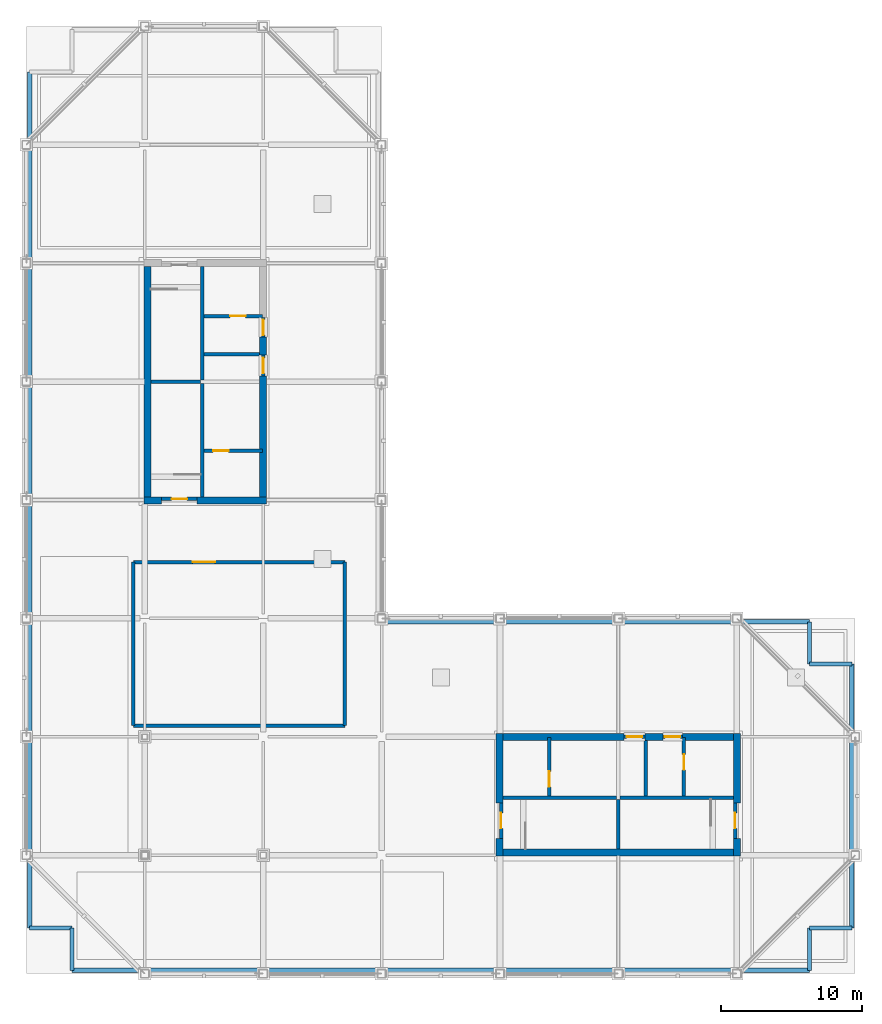
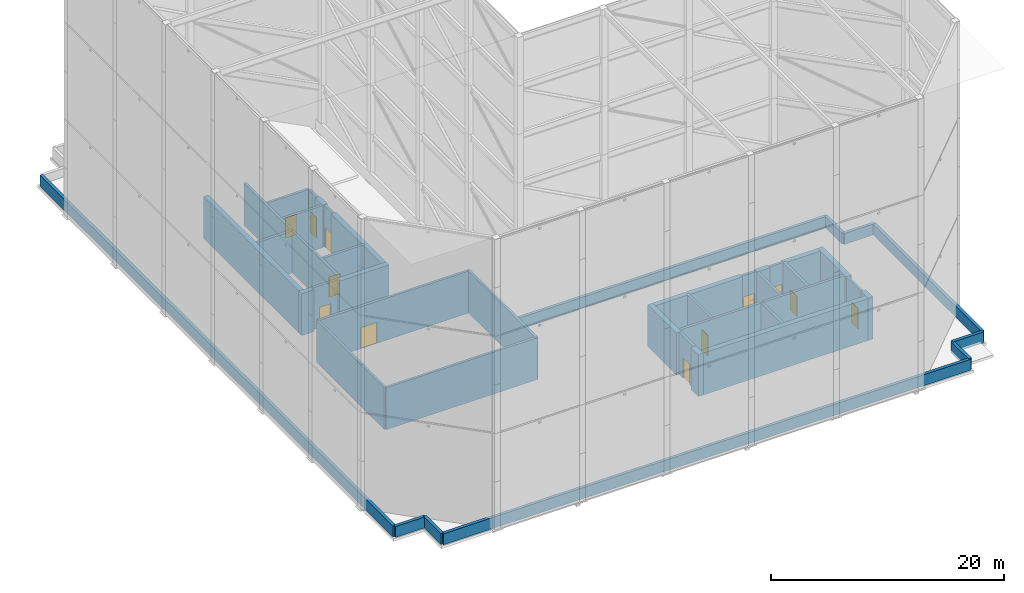
# One storey, part 15 of 17: 46 walls, 12 doors, 12 openings.
"""IFC4 building model written with IfcOpenShell, lengths in metres."""

from ifc_helpers import new_model, si_unit, direction, frame, frame_2d, origin, place, context, subcontext, project, spatial, rectangle, extrude, material, layer, layer_set, type_object, element, fill, save


model = new_model("IFC4")

# Units and contexts
model_context = context("Model", 3, precision=1e-05, world=origin(), true_north=direction((0.0, 1.0)))
body_context = subcontext(model_context, "Body", "Model", "MODEL_VIEW")
ifc_project = project(units=[si_unit("LENGTHUNIT", "METRE"), si_unit("AREAUNIT", "SQUARE_METRE"), si_unit("VOLUMEUNIT", "CUBIC_METRE"), si_unit("PLANEANGLEUNIT", "RADIAN"), si_unit("MASSUNIT", "GRAM", prefix="KILO")], contexts=[model_context])

# Site, building, storey
site_placement = place(None, origin())
site = spatial("IfcSite", under=ifc_project, at=site_placement, CompositionType="ELEMENT")
building_placement = place(site_placement, origin())
building = spatial("IfcBuilding", under=site, at=building_placement, Name="Koriwani Terraces Tower", CompositionType="ELEMENT")
storey_placement = place(building_placement, frame((0.0, 0.0, 374.0)))
storey = spatial("IfcBuildingStorey", under=building, at=storey_placement, Name="RF", CompositionType="ELEMENT", Elevation=374.0)

# Walls
ifc_material_1 = material(Name="Concrete C50/60", Category="concrete")
ifc_layer_1 = layer(ifc_material_1, 0.5, Name="Concrete C50/60")
ifc_layer_set_1 = layer_set([ifc_layer_1], Name="Concrete C50/60")
wall_type_1 = type_object("IfcWallType", Name="WALL_CORE_RC_500", PredefinedType="SHEAR", material=ifc_layer_set_1)
wall_1_placement = place(storey_placement, frame((16.75, 41.949951171875, 0.0), z_axis=(0.0, 0.0, 1.0), x_axis=(1.0, 0.0, 0.0)))
element("IfcWall", 1, at=wall_1_placement, inside=storey, type_object=wall_type_1, Name="RF West Split Core Shear Wall S1", PredefinedType="SHEAR", context=body_context, shape_type="SweptSolid", body=[
    extrude(rectangle(XDim=1.25, YDim=0.5, at=frame_2d((0.625, 0.0))), origin(), (0.0, 0.0, 1.0), 4.39990234375),
])
wall_2_placement = place(storey_placement, frame((20.5, 41.949951171875, 0.0), z_axis=(0.0, 0.0, 1.0), x_axis=(1.0, 0.0, 0.0)))
element("IfcWall", 2, at=wall_2_placement, inside=storey, type_object=wall_type_1, Name="RF West Split Core Shear Wall S2", PredefinedType="SHEAR", context=body_context, shape_type="SweptSolid", body=[
    extrude(rectangle(XDim=4.949951171875, YDim=0.5, at=frame_2d((2.47509765625, 0.0))), origin(), (0.0, 0.0, 1.0), 4.39990234375),
])
wall_3_placement = place(storey_placement, frame((17.0, 42.199951171875, 0.0), z_axis=(0.0, 0.0, 1.0), x_axis=(0.0, 1.0, 0.0)))
element("IfcWall", 3, at=wall_3_placement, inside=storey, type_object=wall_type_1, Name="RF West Split Core Shear Wall W1", PredefinedType="SHEAR", context=body_context, shape_type="SweptSolid", body=[
    extrude(rectangle(XDim=16.35009765625, YDim=0.5, at=frame_2d((8.175048828125, 0.0))), origin(), (0.0, 0.0, 1.0), 4.39990234375),
])
wall_4_placement = place(storey_placement, frame((25.199951171875, 42.199951171875, 0.0), z_axis=(0.0, 0.0, 1.0), x_axis=(0.0, 1.0, 0.0)))
element("IfcWall", 4, at=wall_4_placement, inside=storey, type_object=wall_type_1, Name="RF West Split Core Shear Wall E1", PredefinedType="SHEAR", context=body_context, shape_type="SweptSolid", body=[
    extrude(rectangle(XDim=8.60009765625, YDim=0.5, at=frame_2d((4.300048828125, 0.0))), origin(), (0.0, 0.0, 1.0), 4.39990234375),
])
wall_5_placement = place(storey_placement, frame((25.199951171875, 52.280029296875, 0.0), z_axis=(0.0, 0.0, 1.0), x_axis=(0.0, 1.0, 0.0)))
element("IfcWall", 5, at=wall_5_placement, inside=storey, type_object=wall_type_1, Name="RF West Split Core Shear Wall E2", PredefinedType="SHEAR", context=body_context, shape_type="SweptSolid", body=[
    extrude(rectangle(XDim=1.27001953125, YDim=0.5, at=frame_2d((0.635009765625, 0.0))), origin(), (0.0, 0.0, 1.0), 4.39990234375),
])
wall_6_placement = place(storey_placement, frame((41.949951171875, 16.75, 0.0), z_axis=(0.0, 0.0, 1.0), x_axis=(0.0, 1.0, 0.0)))
element("IfcWall", 6, at=wall_6_placement, inside=storey, type_object=wall_type_1, Name="RF East Split Core Shear Wall W1", PredefinedType="SHEAR", context=body_context, shape_type="SweptSolid", body=[
    extrude(rectangle(XDim=1.25, YDim=0.5, at=frame_2d((0.625, 0.0))), origin(), (0.0, 0.0, 1.0), 4.39990234375),
])
wall_7_placement = place(storey_placement, frame((41.949951171875, 20.5, 0.0), z_axis=(0.0, 0.0, 1.0), x_axis=(0.0, 1.0, 0.0)))
element("IfcWall", 7, at=wall_7_placement, inside=storey, type_object=wall_type_1, Name="RF East Split Core Shear Wall W2", PredefinedType="SHEAR", context=body_context, shape_type="SweptSolid", body=[
    extrude(rectangle(XDim=4.949951171875, YDim=0.5, at=frame_2d((2.47509765625, 0.0))), origin(), (0.0, 0.0, 1.0), 4.39990234375),
])
wall_8_placement = place(storey_placement, frame((58.800048828125, 16.75, 0.0), z_axis=(0.0, 0.0, 1.0), x_axis=(0.0, 1.0, 0.0)))
element("IfcWall", 8, at=wall_8_placement, inside=storey, type_object=wall_type_1, Name="RF East Split Core Shear Wall E1", PredefinedType="SHEAR", context=body_context, shape_type="SweptSolid", body=[
    extrude(rectangle(XDim=1.25, YDim=0.5, at=frame_2d((0.625, 0.0))), origin(), (0.0, 0.0, 1.0), 4.39990234375),
])
wall_9_placement = place(storey_placement, frame((58.800048828125, 20.5, 0.0), z_axis=(0.0, 0.0, 1.0), x_axis=(0.0, 1.0, 0.0)))
element("IfcWall", 9, at=wall_9_placement, inside=storey, type_object=wall_type_1, Name="RF East Split Core Shear Wall E2", PredefinedType="SHEAR", context=body_context, shape_type="SweptSolid", body=[
    extrude(rectangle(XDim=4.949951171875, YDim=0.5, at=frame_2d((2.47509765625, 0.0))), origin(), (0.0, 0.0, 1.0), 4.39990234375),
])
wall_10_placement = place(storey_placement, frame((42.199951171875, 17.0, 0.0), z_axis=(0.0, 0.0, 1.0), x_axis=(1.0, 0.0, 0.0)))
element("IfcWall", 10, at=wall_10_placement, inside=storey, type_object=wall_type_1, Name="RF East Split Core Shear Wall S1", PredefinedType="SHEAR", context=body_context, shape_type="SweptSolid", body=[
    extrude(rectangle(XDim=16.35009765625, YDim=0.5, at=frame_2d((8.175048828125, 0.0))), origin(), (0.0, 0.0, 1.0), 4.39990234375),
])
wall_11_placement = place(storey_placement, frame((42.199951171875, 25.199951171875, 0.0), z_axis=(0.0, 0.0, 1.0), x_axis=(1.0, 0.0, 0.0)))
element("IfcWall", 11, at=wall_11_placement, inside=storey, type_object=wall_type_1, Name="RF East Split Core Shear Wall N1", PredefinedType="SHEAR", context=body_context, shape_type="SweptSolid", body=[
    extrude(rectangle(XDim=8.60009765625, YDim=0.5, at=frame_2d((4.300048828125, 0.0))), origin(), (0.0, 0.0, 1.0), 4.39990234375),
])
wall_12_placement = place(storey_placement, frame((52.280029296875, 25.199951171875, 0.0), z_axis=(0.0, 0.0, 1.0), x_axis=(1.0, 0.0, 0.0)))
element("IfcWall", 12, at=wall_12_placement, inside=storey, type_object=wall_type_1, Name="RF East Split Core Shear Wall N2", PredefinedType="SHEAR", context=body_context, shape_type="SweptSolid", body=[
    extrude(rectangle(XDim=1.27001953125, YDim=0.5, at=frame_2d((0.635009765625, 0.0))), origin(), (0.0, 0.0, 1.0), 4.39990234375),
])
wall_13_placement = place(storey_placement, frame((54.949951171875, 25.199951171875, 0.0), z_axis=(0.0, 0.0, 1.0), x_axis=(1.0, 0.0, 0.0)))
element("IfcWall", 13, at=wall_13_placement, inside=storey, type_object=wall_type_1, Name="RF East Split Core Shear Wall N3", PredefinedType="SHEAR", context=body_context, shape_type="SweptSolid", body=[
    extrude(rectangle(XDim=3.60009765625, YDim=0.5, at=frame_2d((1.800048828125, 0.0))), origin(), (0.0, 0.0, 1.0), 4.39990234375),
])
ifc_material_2 = material(Name="Concrete C40/50", Category="concrete")
ifc_layer_2 = layer(ifc_material_2, 0.300048828125, Name="Concrete C40/50")
ifc_layer_set_2 = layer_set([ifc_layer_2], Name="Concrete C40/50")
wall_type_2 = type_object("IfcWallType", Name="WALL_EXT_SPANDREL_300", PredefinedType="PARAPET", material=ifc_layer_set_2)
for number, where, z_axis, x_axis, name in (
    (14, (11.639892578125, 8.639892578125, 0.0), (0.0, 0.0, 1.0), (0.0, 1.0, 0.0), "RF Main Roof Perimeter Parapet Upstand 1"),
    (15, (11.639892578125, 11.639892578125, 0.0), (0.0, 0.0, 1.0), (-1.0, 0.0, 0.0), "RF Main Roof Perimeter Parapet Upstand 2"),
):
    element("IfcWall", number, at=place(storey_placement, frame(where, z_axis=z_axis, x_axis=x_axis)), inside=storey, type_object=wall_type_2, Name=name, PredefinedType="PARAPET", context=body_context, shape_type="SweptSolid", body=[
        extrude(rectangle(XDim=3.0, YDim=0.300048828125, at=frame_2d((1.5, 0.0))), origin(), (0.0, 0.0, 1.0), 1.14990234375),
    ])
wall_14_placement = place(storey_placement, frame((8.639892578125, 11.639892578125, 0.0), z_axis=(0.0, 0.0, 1.0), x_axis=(0.0, 1.0, 0.0)))
element("IfcWall", 16, at=wall_14_placement, inside=storey, type_object=wall_type_2, Name="RF Main Roof Perimeter Parapet Upstand 3", PredefinedType="PARAPET", context=body_context, shape_type="SweptSolid", body=[
    extrude(rectangle(XDim=60.72021484375, YDim=0.300048828125, at=frame_2d((30.360107421875, 0.0))), origin(), (0.0, 0.0, 1.0), 1.14990234375),
])
wall_15_placement = place(storey_placement, frame((33.360107421875, 33.360107421875, 0.0), z_axis=(0.0, 0.0, 1.0), x_axis=(1.0, 0.0, 0.0)))
element("IfcWall", 17, at=wall_15_placement, inside=storey, type_object=wall_type_2, Name="RF Main Roof Perimeter Parapet Upstand 10", PredefinedType="PARAPET", context=body_context, shape_type="SweptSolid", body=[
    extrude(rectangle(XDim=30.599853515625, YDim=0.300048828125, at=frame_2d((15.2998046875, 0.0))), origin(), (0.0, 0.0, 1.0), 1.14990234375),
])
for number, where, z_axis, x_axis, name in (
    (18, (63.9599609375, 33.360107421875, 0.0), (0.0, 0.0, 1.0), (0.0, -1.0, 0.0), "RF Main Roof Perimeter Parapet Upstand 11"),
    (19, (63.9599609375, 30.360107421875, 0.0), (0.0, 0.0, 1.0), (1.0, 0.0, 0.0), "RF Main Roof Perimeter Parapet Upstand 12"),
):
    element("IfcWall", number, at=place(storey_placement, frame(where, z_axis=z_axis, x_axis=x_axis)), inside=storey, type_object=wall_type_2, Name=name, PredefinedType="PARAPET", context=body_context, shape_type="SweptSolid", body=[
        extrude(rectangle(XDim=3.0, YDim=0.300048828125, at=frame_2d((1.5, 0.0))), origin(), (0.0, 0.0, 1.0), 1.14990234375),
    ])
wall_16_placement = place(storey_placement, frame((66.9599609375, 30.360107421875, 0.0), z_axis=(0.0, 0.0, 1.0), x_axis=(0.0, -1.0, 0.0)))
element("IfcWall", 20, at=wall_16_placement, inside=storey, type_object=wall_type_2, Name="RF Main Roof Perimeter Parapet Upstand 13", PredefinedType="PARAPET", context=body_context, shape_type="SweptSolid", body=[
    extrude(rectangle(XDim=18.72021484375, YDim=0.300048828125, at=frame_2d((9.360107421875, 0.0))), origin(), (0.0, 0.0, 1.0), 1.14990234375),
])
for number, where, z_axis, x_axis, name in (
    (21, (66.9599609375, 11.639892578125, 0.0), (0.0, 0.0, 1.0), (-1.0, 0.0, 0.0), "RF Main Roof Perimeter Parapet Upstand 14"),
    (22, (63.9599609375, 11.639892578125, 0.0), (0.0, 0.0, 1.0), (0.0, -1.0, 0.0), "RF Main Roof Perimeter Parapet Upstand 15"),
):
    element("IfcWall", number, at=place(storey_placement, frame(where, z_axis=z_axis, x_axis=x_axis)), inside=storey, type_object=wall_type_2, Name=name, PredefinedType="PARAPET", context=body_context, shape_type="SweptSolid", body=[
        extrude(rectangle(XDim=3.0, YDim=0.300048828125, at=frame_2d((1.5, 0.0))), origin(), (0.0, 0.0, 1.0), 1.14990234375),
    ])
wall_17_placement = place(storey_placement, frame((63.9599609375, 8.639892578125, 0.0), z_axis=(0.0, 0.0, 1.0), x_axis=(-1.0, 0.0, 0.0)))
element("IfcWall", 23, at=wall_17_placement, inside=storey, type_object=wall_type_2, Name="RF Main Roof Perimeter Parapet Upstand 16", PredefinedType="PARAPET", context=body_context, shape_type="SweptSolid", body=[
    extrude(rectangle(XDim=52.320068359375, YDim=0.300048828125, at=frame_2d((26.16015625, 0.0))), origin(), (0.0, 0.0, 1.0), 1.14990234375),
])
ifc_layer_3 = layer(ifc_material_2, 0.25, Name="Concrete C40/50")
ifc_layer_set_3 = layer_set([ifc_layer_3], Name="Concrete C40/50")
wall_type_3 = type_object("IfcWallType", Name="WALL_SHAFT_RATED_250", PredefinedType="SOLIDWALL", material=ifc_layer_set_3)
for number, where, z_axis, x_axis, name in (
    (24, (20.875, 42.199951171875, 0.0), (0.0, 0.0, 1.0), (0.0, 1.0, 0.0), "RF West Split Core Web Wall MID1"),
    (25, (20.875, 50.5, 0.0), (0.0, 0.0, 1.0), (0.0, 1.0, 0.0), "RF West Split Core Web Wall MID2"),
):
    element("IfcWall", number, at=place(storey_placement, frame(where, z_axis=z_axis, x_axis=x_axis)), inside=storey, type_object=wall_type_3, Name=name, PredefinedType="SOLIDWALL", context=body_context, shape_type="SweptSolid", body=[
        extrude(rectangle(XDim=8.050048828125, YDim=0.25, at=frame_2d((4.02490234375, 0.0))), origin(), (0.0, 0.0, 1.0), 4.39990234375),
    ])
wall_18_placement = place(storey_placement, frame((17.25, 50.375, 0.0), z_axis=(0.0, 0.0, 1.0), x_axis=(1.0, 0.0, 0.0)))
element("IfcWall", 26, at=wall_18_placement, inside=storey, type_object=wall_type_3, Name="RF West Split Core Stair Dividing Wall", PredefinedType="SOLIDWALL", context=body_context, shape_type="SweptSolid", body=[
    extrude(rectangle(XDim=3.5, YDim=0.25, at=frame_2d((1.75, 0.0))), origin(), (0.0, 0.0, 1.0), 4.39990234375),
])
for number, where, z_axis, x_axis, name in (
    (27, (42.199951171875, 20.875, 0.0), (0.0, 0.0, 1.0), (1.0, 0.0, 0.0), "RF East Split Core Web Wall MID1"),
    (28, (50.5, 20.875, 0.0), (0.0, 0.0, 1.0), (1.0, 0.0, 0.0), "RF East Split Core Web Wall MID2"),
):
    element("IfcWall", number, at=place(storey_placement, frame(where, z_axis=z_axis, x_axis=x_axis)), inside=storey, type_object=wall_type_3, Name=name, PredefinedType="SOLIDWALL", context=body_context, shape_type="SweptSolid", body=[
        extrude(rectangle(XDim=8.050048828125, YDim=0.25, at=frame_2d((4.02490234375, 0.0))), origin(), (0.0, 0.0, 1.0), 4.39990234375),
    ])
wall_19_placement = place(storey_placement, frame((50.375, 17.25, 0.0), z_axis=(0.0, 0.0, 1.0), x_axis=(0.0, 1.0, 0.0)))
element("IfcWall", 29, at=wall_19_placement, inside=storey, type_object=wall_type_3, Name="RF East Split Core Stair Dividing Wall", PredefinedType="SOLIDWALL", context=body_context, shape_type="SweptSolid", body=[
    extrude(rectangle(XDim=3.5, YDim=0.25, at=frame_2d((1.75, 0.0))), origin(), (0.0, 0.0, 1.0), 4.39990234375),
])

# Wall, opening, door
wall_20_placement = place(storey_placement, frame((18.0, 42.074951171875, 0.0), z_axis=(0.0, 0.0, 1.0), x_axis=(1.0, 0.0, 0.0)))
wall_20 = element("IfcWall", 30, at=wall_20_placement, inside=storey, type_object=wall_type_3, Name="RF Interior Wall WIN-CW-RF-STS", PredefinedType="SOLIDWALL", context=body_context, shape_type="SweptSolid", body=[
    extrude(rectangle(XDim=2.5, YDim=0.25, at=frame_2d((1.25, 0.0))), origin(), (0.0, 0.0, 1.0), 4.39990234375),
])
opening_1_placement = place(wall_20_placement, frame((0.699951171875, 0.0, 0.0)))
opening_1 = element("IfcOpeningElement", 31, at=opening_1_placement, cuts=wall_20, Name="Opening D-03", PredefinedType="OPENING", context=body_context, shape_type="SweptSolid", body=[
    extrude(rectangle(XDim=1.10009765625, YDim=2.14990234375, at=frame_2d((0.550048828125, 1.074951171875))), frame((0.0, 0.135009765625, 0.0), z_axis=(0.0, -1.0, 0.0), x_axis=(1.0, 0.0, 0.0)), (0.0, 0.0, 1.0), 0.27001953125),
])
ifc_material_3 = material(Name="Steel ASTM A572 Grade 50", Category="steel")
door_type_1 = type_object("IfcDoorType", Name="DOOR_STAIR_FIRE_1100X2150", OperationType="NOTDEFINED", PredefinedType="DOOR", material=ifc_material_3)
door_1_placement = place(opening_1_placement, origin())
door_1 = element("IfcDoor", 32, at=door_1_placement, inside=storey, type_object=door_type_1, Name="RF Exit Stair ST-W1 Door", OperationType="SINGLE_SWING_RIGHT", OverallHeight=2.14990234375, OverallWidth=1.10009765625, PredefinedType="DOOR", context=body_context, shape_type="SweptSolid", body=[
    extrude(rectangle(XDim=1.10009765625, YDim=2.14990234375, at=frame_2d((0.550048828125, 1.074951171875))), frame((0.0, 0.02490234375, 0.0), z_axis=(0.0, -1.0, 0.0), x_axis=(1.0, 0.0, 0.0)), (0.0, 0.0, 1.0), 0.050048828125),
])
fill(opening_1, door_1)

wall_21_placement = place(storey_placement, frame((21.0, 45.5, 0.0), z_axis=(0.0, 0.0, 1.0), x_axis=(1.0, 0.0, 0.0)))
wall_21 = element("IfcWall", 33, at=wall_21_placement, inside=storey, type_object=wall_type_3, Name="RF Interior Wall WIN-CW-RF-FE", PredefinedType="SOLIDWALL", context=body_context, shape_type="SweptSolid", body=[
    extrude(rectangle(XDim=4.14990234375, YDim=0.25, at=frame_2d((2.074951171875, 0.0))), origin(), (0.0, 0.0, 1.0), 4.39990234375),
])
opening_2_placement = place(wall_21_placement, frame((0.64990234375, 0.0, 0.0)))
opening_2 = element("IfcOpeningElement", 34, at=opening_2_placement, cuts=wall_21, Name="Opening LD-01", PredefinedType="OPENING", context=body_context, shape_type="SweptSolid", body=[
    extrude(rectangle(XDim=1.10009765625, YDim=2.14990234375, at=frame_2d((0.550048828125, 1.074951171875))), frame((0.0, 0.135009765625, 0.0), z_axis=(0.0, -1.0, 0.0), x_axis=(1.0, 0.0, 0.0)), (0.0, 0.0, 1.0), 0.27001953125),
])
door_type_2 = type_object("IfcDoorType", Name="DOOR_LIFT_LANDING_1100X2200", OperationType="NOTDEFINED", PredefinedType="DOOR", material=ifc_material_3)
door_2_placement = place(opening_2_placement, origin())
door_2 = element("IfcDoor", 35, at=door_2_placement, inside=storey, type_object=door_type_2, Name="RF Firefighting Lift FE-01 Landing Door", OperationType="SLIDING_TO_LEFT", OverallHeight=2.14990234375, OverallWidth=1.10009765625, PredefinedType="DOOR", context=body_context, shape_type="SweptSolid", body=[
    extrude(rectangle(XDim=1.10009765625, YDim=2.14990234375, at=frame_2d((0.550048828125, 1.074951171875))), frame((0.0, 0.02490234375, 0.0), z_axis=(0.0, -1.0, 0.0), x_axis=(1.0, 0.0, 0.0)), (0.0, 0.0, 1.0), 0.050048828125),
])
fill(opening_2, door_2)

wall_22_placement = place(storey_placement, frame((25.199951171875, 50.800048828125, 0.0), z_axis=(0.0, 0.0, 1.0), x_axis=(0.0, 1.0, 0.0)))
wall_22 = element("IfcWall", 36, at=wall_22_placement, inside=storey, type_object=wall_type_3, Name="RF Interior Wall WIN-CW-RF-EP", PredefinedType="SOLIDWALL", context=body_context, shape_type="SweptSolid", body=[
    extrude(rectangle(XDim=1.47998046875, YDim=0.25, at=frame_2d((0.739990234375, 0.0))), origin(), (0.0, 0.0, 1.0), 4.39990234375),
])
opening_3_placement = place(wall_22_placement, frame((0.179931640625, 0.0, 0.0)))
opening_3 = element("IfcOpeningElement", 37, at=opening_3_placement, cuts=wall_22, Name="Opening D-03", PredefinedType="OPENING", context=body_context, shape_type="SweptSolid", body=[
    extrude(rectangle(XDim=1.10009765625, YDim=2.14990234375, at=frame_2d((0.550048828125, 1.074951171875))), frame((0.0, 0.135009765625, 0.0), z_axis=(0.0, -1.0, 0.0), x_axis=(1.0, 0.0, 0.0)), (0.0, 0.0, 1.0), 0.27001953125),
])
door_3_placement = place(opening_3_placement, origin())
door_3 = element("IfcDoor", 38, at=door_3_placement, inside=storey, type_object=door_type_1, Name="RF West Firefighting Lobby Door", OperationType="SINGLE_SWING_RIGHT", OverallHeight=2.14990234375, OverallWidth=1.10009765625, PredefinedType="DOOR", context=body_context, shape_type="SweptSolid", body=[
    extrude(rectangle(XDim=1.10009765625, YDim=2.14990234375, at=frame_2d((0.550048828125, 1.074951171875))), frame((0.0, 0.02490234375, 0.0), z_axis=(0.0, -1.0, 0.0), x_axis=(1.0, 0.0, 0.0)), (0.0, 0.0, 1.0), 0.050048828125),
])
fill(opening_3, door_3)

# Wall
wall_23_placement = place(storey_placement, frame((21.0, 52.340087890625, 0.0), z_axis=(0.0, 0.0, 1.0), x_axis=(1.0, 0.0, 0.0)))
element("IfcWall", 39, at=wall_23_placement, inside=storey, type_object=wall_type_3, Name="RF Interior Wall WIN-CW-RF-FFN", PredefinedType="SOLIDWALL", context=body_context, shape_type="SweptSolid", body=[
    extrude(rectangle(XDim=3.949951171875, YDim=0.25, at=frame_2d((1.97509765625, 0.0))), origin(), (0.0, 0.0, 1.0), 4.39990234375),
])

# Wall, opening, door
wall_24_placement = place(storey_placement, frame((21.0, 55.050048828125, 0.0), z_axis=(0.0, 0.0, 1.0), x_axis=(1.0, 0.0, 0.0)))
wall_24 = element("IfcWall", 40, at=wall_24_placement, inside=storey, type_object=wall_type_3, Name="RF Interior Wall WIN-CW-RF-SE", PredefinedType="SOLIDWALL", context=body_context, shape_type="SweptSolid", body=[
    extrude(rectangle(XDim=4.14990234375, YDim=0.25, at=frame_2d((2.074951171875, 0.0))), origin(), (0.0, 0.0, 1.0), 4.39990234375),
])
opening_4_placement = place(wall_24_placement, frame((1.85009765625, 0.0, 0.0)))
opening_4 = element("IfcOpeningElement", 41, at=opening_4_placement, cuts=wall_24, Name="Opening LD-01", PredefinedType="OPENING", context=body_context, shape_type="SweptSolid", body=[
    extrude(rectangle(XDim=1.10009765625, YDim=2.14990234375, at=frame_2d((0.550048828125, 1.074951171875))), frame((0.0, 0.135009765625, 0.0), z_axis=(0.0, -1.0, 0.0), x_axis=(1.0, 0.0, 0.0)), (0.0, 0.0, 1.0), 0.27001953125),
])
door_4_placement = place(opening_4_placement, origin())
door_4 = element("IfcDoor", 42, at=door_4_placement, inside=storey, type_object=door_type_2, Name="RF Goods Lift SE-01 Landing Door", OperationType="SLIDING_TO_LEFT", OverallHeight=2.14990234375, OverallWidth=1.10009765625, PredefinedType="DOOR", context=body_context, shape_type="SweptSolid", body=[
    extrude(rectangle(XDim=1.10009765625, YDim=2.14990234375, at=frame_2d((0.550048828125, 1.074951171875))), frame((0.0, 0.02490234375, 0.0), z_axis=(0.0, -1.0, 0.0), x_axis=(1.0, 0.0, 0.0)), (0.0, 0.0, 1.0), 0.050048828125),
])
fill(opening_4, door_4)

wall_25_placement = place(storey_placement, frame((25.199951171875, 53.550048828125, 0.0), z_axis=(0.0, 0.0, 1.0), x_axis=(0.0, 1.0, 0.0)))
wall_25 = element("IfcWall", 43, at=wall_25_placement, inside=storey, type_object=wall_type_3, Name="RF Interior Wall WIN-CW-RF-EP2", PredefinedType="SOLIDWALL", context=body_context, shape_type="SweptSolid", body=[
    extrude(rectangle(XDim=1.39990234375, YDim=0.25, at=frame_2d((0.699951171875, 0.0))), origin(), (0.0, 0.0, 1.0), 4.39990234375),
])
opening_5_placement = place(wall_25_placement, frame((0.14990234375, 0.0, 0.0)))
opening_5 = element("IfcOpeningElement", 44, at=opening_5_placement, cuts=wall_25, Name="Opening D-03", PredefinedType="OPENING", context=body_context, shape_type="SweptSolid", body=[
    extrude(rectangle(XDim=1.10009765625, YDim=2.14990234375, at=frame_2d((0.550048828125, 1.074951171875))), frame((0.0, 0.135009765625, 0.0), z_axis=(0.0, -1.0, 0.0), x_axis=(1.0, 0.0, 0.0)), (0.0, 0.0, 1.0), 0.27001953125),
])
door_5_placement = place(opening_5_placement, origin())
door_5 = element("IfcDoor", 45, at=door_5_placement, inside=storey, type_object=door_type_1, Name="RF West Goods Lift Lobby Door", OperationType="SINGLE_SWING_LEFT", OverallHeight=2.14990234375, OverallWidth=1.10009765625, PredefinedType="DOOR", context=body_context, shape_type="SweptSolid", body=[
    extrude(rectangle(XDim=1.10009765625, YDim=2.14990234375, at=frame_2d((0.550048828125, 1.074951171875))), frame((0.0, 0.02490234375, 0.0), z_axis=(0.0, -1.0, 0.0), x_axis=(1.0, 0.0, 0.0)), (0.0, 0.0, 1.0), 0.050048828125),
])
fill(opening_5, door_5)

wall_26_placement = place(storey_placement, frame((42.074951171875, 18.0, 0.0), z_axis=(0.0, 0.0, 1.0), x_axis=(0.0, 1.0, 0.0)))
wall_26 = element("IfcWall", 46, at=wall_26_placement, inside=storey, type_object=wall_type_3, Name="RF Interior Wall WIN-CE-RF-STW", PredefinedType="SOLIDWALL", context=body_context, shape_type="SweptSolid", body=[
    extrude(rectangle(XDim=2.5, YDim=0.25, at=frame_2d((1.25, 0.0))), origin(), (0.0, 0.0, 1.0), 4.39990234375),
])
opening_6_placement = place(wall_26_placement, frame((0.699951171875, 0.0, 0.0)))
opening_6 = element("IfcOpeningElement", 47, at=opening_6_placement, cuts=wall_26, Name="Opening D-03", PredefinedType="OPENING", context=body_context, shape_type="SweptSolid", body=[
    extrude(rectangle(XDim=1.10009765625, YDim=2.14990234375, at=frame_2d((0.550048828125, 1.074951171875))), frame((0.0, 0.135009765625, 0.0), z_axis=(0.0, -1.0, 0.0), x_axis=(1.0, 0.0, 0.0)), (0.0, 0.0, 1.0), 0.27001953125),
])
door_6_placement = place(opening_6_placement, origin())
door_6 = element("IfcDoor", 48, at=door_6_placement, inside=storey, type_object=door_type_1, Name="RF Exit Stair ST-E1 Door", OperationType="SINGLE_SWING_RIGHT", OverallHeight=2.14990234375, OverallWidth=1.10009765625, PredefinedType="DOOR", context=body_context, shape_type="SweptSolid", body=[
    extrude(rectangle(XDim=1.10009765625, YDim=2.14990234375, at=frame_2d((0.550048828125, 1.074951171875))), frame((0.0, 0.02490234375, 0.0), z_axis=(0.0, -1.0, 0.0), x_axis=(1.0, 0.0, 0.0)), (0.0, 0.0, 1.0), 0.050048828125),
])
fill(opening_6, door_6)

wall_27_placement = place(storey_placement, frame((58.675048828125, 18.0, 0.0), z_axis=(0.0, 0.0, 1.0), x_axis=(0.0, 1.0, 0.0)))
wall_27 = element("IfcWall", 49, at=wall_27_placement, inside=storey, type_object=wall_type_3, Name="RF Interior Wall WIN-CE-RF-STE", PredefinedType="SOLIDWALL", context=body_context, shape_type="SweptSolid", body=[
    extrude(rectangle(XDim=2.5, YDim=0.25, at=frame_2d((1.25, 0.0))), origin(), (0.0, 0.0, 1.0), 4.39990234375),
])
opening_7_placement = place(wall_27_placement, frame((0.699951171875, 0.0, 0.0)))
opening_7 = element("IfcOpeningElement", 50, at=opening_7_placement, cuts=wall_27, Name="Opening D-03", PredefinedType="OPENING", context=body_context, shape_type="SweptSolid", body=[
    extrude(rectangle(XDim=1.10009765625, YDim=2.14990234375, at=frame_2d((0.550048828125, 1.074951171875))), frame((0.0, 0.135009765625, 0.0), z_axis=(0.0, -1.0, 0.0), x_axis=(1.0, 0.0, 0.0)), (0.0, 0.0, 1.0), 0.27001953125),
])
door_7_placement = place(opening_7_placement, origin())
door_7 = element("IfcDoor", 51, at=door_7_placement, inside=storey, type_object=door_type_1, Name="RF Exit Stair ST-E2 Door", OperationType="SINGLE_SWING_LEFT", OverallHeight=2.14990234375, OverallWidth=1.10009765625, PredefinedType="DOOR", context=body_context, shape_type="SweptSolid", body=[
    extrude(rectangle(XDim=1.10009765625, YDim=2.14990234375, at=frame_2d((0.550048828125, 1.074951171875))), frame((0.0, 0.02490234375, 0.0), z_axis=(0.0, -1.0, 0.0), x_axis=(1.0, 0.0, 0.0)), (0.0, 0.0, 1.0), 0.050048828125),
])
fill(opening_7, door_7)

wall_28_placement = place(storey_placement, frame((45.5, 21.0, 0.0), z_axis=(0.0, 0.0, 1.0), x_axis=(0.0, 1.0, 0.0)))
wall_28 = element("IfcWall", 52, at=wall_28_placement, inside=storey, type_object=wall_type_3, Name="RF Interior Wall WIN-CE-RF-FE", PredefinedType="SOLIDWALL", context=body_context, shape_type="SweptSolid", body=[
    extrude(rectangle(XDim=4.14990234375, YDim=0.25, at=frame_2d((2.074951171875, 0.0))), origin(), (0.0, 0.0, 1.0), 4.39990234375),
])
opening_8_placement = place(wall_28_placement, frame((0.64990234375, 0.0, 0.0)))
opening_8 = element("IfcOpeningElement", 53, at=opening_8_placement, cuts=wall_28, Name="Opening LD-01", PredefinedType="OPENING", context=body_context, shape_type="SweptSolid", body=[
    extrude(rectangle(XDim=1.10009765625, YDim=2.14990234375, at=frame_2d((0.550048828125, 1.074951171875))), frame((0.0, 0.135009765625, 0.0), z_axis=(0.0, -1.0, 0.0), x_axis=(1.0, 0.0, 0.0)), (0.0, 0.0, 1.0), 0.27001953125),
])
door_8_placement = place(opening_8_placement, origin())
door_8 = element("IfcDoor", 54, at=door_8_placement, inside=storey, type_object=door_type_2, Name="RF Firefighting Lift FE-02 Landing Door", OperationType="SLIDING_TO_LEFT", OverallHeight=2.14990234375, OverallWidth=1.10009765625, PredefinedType="DOOR", context=body_context, shape_type="SweptSolid", body=[
    extrude(rectangle(XDim=1.10009765625, YDim=2.14990234375, at=frame_2d((0.550048828125, 1.074951171875))), frame((0.0, 0.02490234375, 0.0), z_axis=(0.0, -1.0, 0.0), x_axis=(1.0, 0.0, 0.0)), (0.0, 0.0, 1.0), 0.050048828125),
])
fill(opening_8, door_8)

wall_29_placement = place(storey_placement, frame((50.800048828125, 25.199951171875, 0.0), z_axis=(0.0, 0.0, 1.0), x_axis=(1.0, 0.0, 0.0)))
wall_29 = element("IfcWall", 55, at=wall_29_placement, inside=storey, type_object=wall_type_3, Name="RF Interior Wall WIN-CE-RF-NP", PredefinedType="SOLIDWALL", context=body_context, shape_type="SweptSolid", body=[
    extrude(rectangle(XDim=1.47998046875, YDim=0.25, at=frame_2d((0.739990234375, 0.0))), origin(), (0.0, 0.0, 1.0), 4.39990234375),
])
opening_9_placement = place(wall_29_placement, frame((0.179931640625, 0.0, 0.0)))
opening_9 = element("IfcOpeningElement", 56, at=opening_9_placement, cuts=wall_29, Name="Opening D-03", PredefinedType="OPENING", context=body_context, shape_type="SweptSolid", body=[
    extrude(rectangle(XDim=1.10009765625, YDim=2.14990234375, at=frame_2d((0.550048828125, 1.074951171875))), frame((0.0, 0.135009765625, 0.0), z_axis=(0.0, -1.0, 0.0), x_axis=(1.0, 0.0, 0.0)), (0.0, 0.0, 1.0), 0.27001953125),
])
door_9_placement = place(opening_9_placement, origin())
door_9 = element("IfcDoor", 57, at=door_9_placement, inside=storey, type_object=door_type_1, Name="RF East Firefighting Lobby Door", OperationType="SINGLE_SWING_RIGHT", OverallHeight=2.14990234375, OverallWidth=1.10009765625, PredefinedType="DOOR", context=body_context, shape_type="SweptSolid", body=[
    extrude(rectangle(XDim=1.10009765625, YDim=2.14990234375, at=frame_2d((0.550048828125, 1.074951171875))), frame((0.0, 0.02490234375, 0.0), z_axis=(0.0, -1.0, 0.0), x_axis=(1.0, 0.0, 0.0)), (0.0, 0.0, 1.0), 0.050048828125),
])
fill(opening_9, door_9)

# Wall
wall_30_placement = place(storey_placement, frame((52.340087890625, 21.0, 0.0), z_axis=(0.0, 0.0, 1.0), x_axis=(0.0, 1.0, 0.0)))
element("IfcWall", 58, at=wall_30_placement, inside=storey, type_object=wall_type_3, Name="RF Interior Wall WIN-CE-RF-FFE", PredefinedType="SOLIDWALL", context=body_context, shape_type="SweptSolid", body=[
    extrude(rectangle(XDim=3.949951171875, YDim=0.25, at=frame_2d((1.97509765625, 0.0))), origin(), (0.0, 0.0, 1.0), 4.39990234375),
])

# Wall, opening, door
wall_31_placement = place(storey_placement, frame((55.050048828125, 21.0, 0.0), z_axis=(0.0, 0.0, 1.0), x_axis=(0.0, 1.0, 0.0)))
wall_31 = element("IfcWall", 59, at=wall_31_placement, inside=storey, type_object=wall_type_3, Name="RF Interior Wall WIN-CE-RF-SE", PredefinedType="SOLIDWALL", context=body_context, shape_type="SweptSolid", body=[
    extrude(rectangle(XDim=4.14990234375, YDim=0.25, at=frame_2d((2.074951171875, 0.0))), origin(), (0.0, 0.0, 1.0), 4.39990234375),
])
opening_10_placement = place(wall_31_placement, frame((1.85009765625, 0.0, 0.0)))
opening_10 = element("IfcOpeningElement", 60, at=opening_10_placement, cuts=wall_31, Name="Opening LD-01", PredefinedType="OPENING", context=body_context, shape_type="SweptSolid", body=[
    extrude(rectangle(XDim=1.10009765625, YDim=2.14990234375, at=frame_2d((0.550048828125, 1.074951171875))), frame((0.0, 0.135009765625, 0.0), z_axis=(0.0, -1.0, 0.0), x_axis=(1.0, 0.0, 0.0)), (0.0, 0.0, 1.0), 0.27001953125),
])
door_10_placement = place(opening_10_placement, origin())
door_10 = element("IfcDoor", 61, at=door_10_placement, inside=storey, type_object=door_type_2, Name="RF Goods Lift SE-02 Landing Door", OperationType="SLIDING_TO_LEFT", OverallHeight=2.14990234375, OverallWidth=1.10009765625, PredefinedType="DOOR", context=body_context, shape_type="SweptSolid", body=[
    extrude(rectangle(XDim=1.10009765625, YDim=2.14990234375, at=frame_2d((0.550048828125, 1.074951171875))), frame((0.0, 0.02490234375, 0.0), z_axis=(0.0, -1.0, 0.0), x_axis=(1.0, 0.0, 0.0)), (0.0, 0.0, 1.0), 0.050048828125),
])
fill(opening_10, door_10)

wall_32_placement = place(storey_placement, frame((53.550048828125, 25.199951171875, 0.0), z_axis=(0.0, 0.0, 1.0), x_axis=(1.0, 0.0, 0.0)))
wall_32 = element("IfcWall", 62, at=wall_32_placement, inside=storey, type_object=wall_type_3, Name="RF Interior Wall WIN-CE-RF-NP2", PredefinedType="SOLIDWALL", context=body_context, shape_type="SweptSolid", body=[
    extrude(rectangle(XDim=1.39990234375, YDim=0.25, at=frame_2d((0.699951171875, 0.0))), origin(), (0.0, 0.0, 1.0), 4.39990234375),
])
opening_11_placement = place(wall_32_placement, frame((0.14990234375, 0.0, 0.0)))
opening_11 = element("IfcOpeningElement", 63, at=opening_11_placement, cuts=wall_32, Name="Opening D-03", PredefinedType="OPENING", context=body_context, shape_type="SweptSolid", body=[
    extrude(rectangle(XDim=1.10009765625, YDim=2.14990234375, at=frame_2d((0.550048828125, 1.074951171875))), frame((0.0, 0.135009765625, 0.0), z_axis=(0.0, -1.0, 0.0), x_axis=(1.0, 0.0, 0.0)), (0.0, 0.0, 1.0), 0.27001953125),
])
door_11_placement = place(opening_11_placement, origin())
door_11 = element("IfcDoor", 64, at=door_11_placement, inside=storey, type_object=door_type_1, Name="RF East Goods Lift Lobby Door", OperationType="SINGLE_SWING_LEFT", OverallHeight=2.14990234375, OverallWidth=1.10009765625, PredefinedType="DOOR", context=body_context, shape_type="SweptSolid", body=[
    extrude(rectangle(XDim=1.10009765625, YDim=2.14990234375, at=frame_2d((0.550048828125, 1.074951171875))), frame((0.0, 0.02490234375, 0.0), z_axis=(0.0, -1.0, 0.0), x_axis=(1.0, 0.0, 0.0)), (0.0, 0.0, 1.0), 0.050048828125),
])
fill(opening_11, door_11)

wall_33_placement = place(storey_placement, frame((16.0, 37.60009765625, 0.0), z_axis=(0.0, 0.0, 1.0), x_axis=(1.0, 0.0, 0.0)))
wall_33 = element("IfcWall", 65, at=wall_33_placement, inside=storey, type_object=wall_type_3, Name="RF Interior Wall WRF-PL1-N", PredefinedType="SOLIDWALL", context=body_context, shape_type="SweptSolid", body=[
    extrude(rectangle(XDim=15.0, YDim=0.25, at=frame_2d((7.5, 0.0))), origin(), (0.0, 0.0, 1.0), 4.39990234375),
])
opening_12_placement = place(wall_33_placement, frame((4.199951171875, 0.0, 0.0)))
opening_12 = element("IfcOpeningElement", 66, at=opening_12_placement, cuts=wall_33, Name="Opening D-08", PredefinedType="OPENING", context=body_context, shape_type="SweptSolid", body=[
    extrude(rectangle(XDim=1.60009765625, YDim=2.199951171875, at=frame_2d((0.800048828125, 1.10009765625))), frame((0.0, 0.135009765625, 0.0), z_axis=(0.0, -1.0, 0.0), x_axis=(1.0, 0.0, 0.0)), (0.0, 0.0, 1.0), 0.27001953125),
])
door_type_3 = type_object("IfcDoorType", Name="DOOR_PLANT_DOUBLE_1600X2200", OperationType="NOTDEFINED", PredefinedType="DOOR", material=ifc_material_3)
door_12_placement = place(opening_12_placement, origin())
door_12 = element("IfcDoor", 67, at=door_12_placement, inside=storey, type_object=door_type_3, Name="RF Heat-Recovery Chiller Enclosure Door", OperationType="SINGLE_SWING_RIGHT", OverallHeight=2.199951171875, OverallWidth=1.60009765625, PredefinedType="DOOR", context=body_context, shape_type="SweptSolid", body=[
    extrude(rectangle(XDim=1.60009765625, YDim=2.199951171875, at=frame_2d((0.800048828125, 1.10009765625))), frame((0.0, 0.02490234375, 0.0), z_axis=(0.0, -1.0, 0.0), x_axis=(1.0, 0.0, 0.0)), (0.0, 0.0, 1.0), 0.050048828125),
])
fill(opening_12, door_12)

# Walls
wall_34_placement = place(storey_placement, frame((16.0, 26.0, 0.0), z_axis=(0.0, 0.0, 1.0), x_axis=(1.0, 0.0, 0.0)))
element("IfcWall", 68, at=wall_34_placement, inside=storey, type_object=wall_type_3, Name="RF Interior Wall WRF-PL1-S", PredefinedType="SOLIDWALL", context=body_context, shape_type="SweptSolid", body=[
    extrude(rectangle(XDim=15.0, YDim=0.25, at=frame_2d((7.5, 0.0))), origin(), (0.0, 0.0, 1.0), 4.39990234375),
])
for number, where, z_axis, x_axis, name in (
    (69, (16.0, 26.0, 0.0), (0.0, 0.0, 1.0), (0.0, 1.0, 0.0), "RF Interior Wall WRF-PL1-W"),
    (70, (31.0, 26.0, 0.0), (0.0, 0.0, 1.0), (0.0, 1.0, 0.0), "RF Interior Wall WRF-PL1-E"),
):
    element("IfcWall", number, at=place(storey_placement, frame(where, z_axis=z_axis, x_axis=x_axis)), inside=storey, type_object=wall_type_3, Name=name, PredefinedType="SOLIDWALL", context=body_context, shape_type="SweptSolid", body=[
        extrude(rectangle(XDim=11.60009765625, YDim=0.25, at=frame_2d((5.800048828125, 0.0))), origin(), (0.0, 0.0, 1.0), 4.39990234375),
    ])

save(model, "model.ifc")
